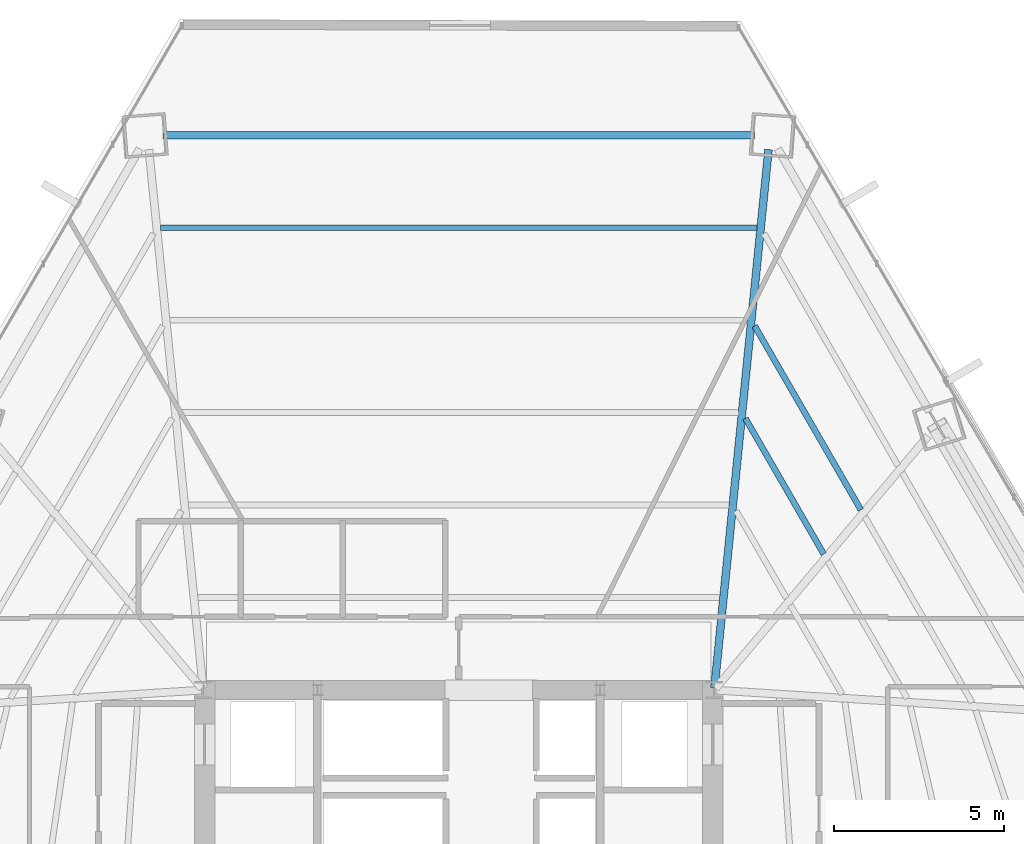
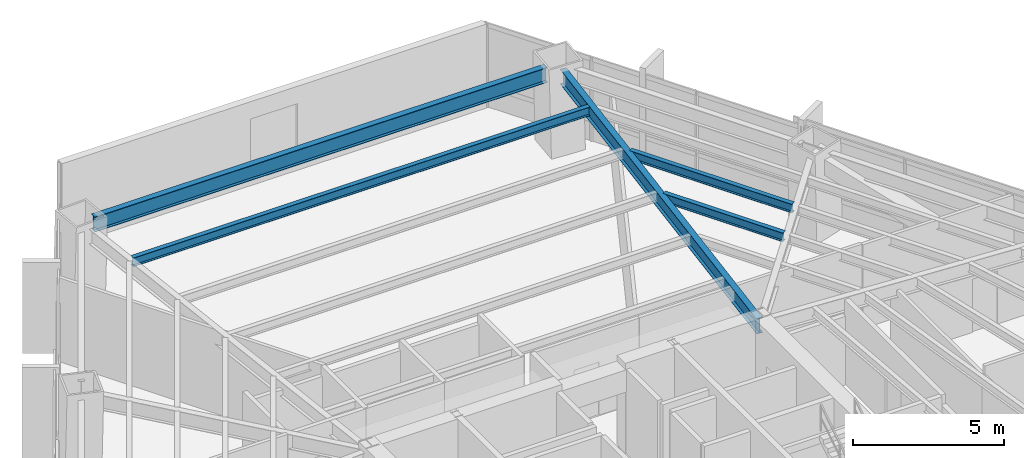
# One storey, part 21 of 29: 5 beams.
"""IFC4 building model written with IfcOpenShell, lengths in metres."""

from ifc_helpers import new_model, si_unit, direction, frame, origin, origin_2d, place, context, subcontext, project, spatial, i_section, extrude, source, transform, mapped, material, material_profile, profile_set, type_object, type_shapes, element, save


model = new_model("IFC4")

# Units and contexts
model_context = context("Model", 3, precision=1e-05, world=origin(), true_north=direction((0.0, 1.0)))
body_context = subcontext(model_context, "Body", "Model", "MODEL_VIEW")
ifc_project = project(units=[si_unit("LENGTHUNIT", "METRE"), si_unit("AREAUNIT", "SQUARE_METRE"), si_unit("VOLUMEUNIT", "CUBIC_METRE"), si_unit("PLANEANGLEUNIT", "RADIAN"), si_unit("MASSUNIT", "GRAM", prefix="KILO")], contexts=[model_context])

# Site, building, storey
site_placement = place(None, origin())
site = spatial("IfcSite", under=ifc_project, at=site_placement, CompositionType="ELEMENT")
building_placement = place(site_placement, origin())
building = spatial("IfcBuilding", under=site, at=building_placement, Name="Caelisora Broadcast Tower", CompositionType="ELEMENT")
storey_placement = place(building_placement, frame((0.0, 0.0, 31.25)))
storey = spatial("IfcBuildingStorey", under=building, at=storey_placement, Name="L07", CompositionType="ELEMENT", Elevation=31.25)

# Beams
ifc_material = material(Name="Steel Grade 350 (AS/NZS 3679.1)", Category="steel")
ifc_material_profile_1 = material_profile(ifc_material, i_section(OverallWidth=0.22900390625, OverallDepth=0.611572265625, WebThickness=0.011962890625, FlangeThickness=0.01953125, at=origin_2d()), Name="Steel Grade 350 (AS/NZS 3679.1)")
ifc_profile_set_1 = profile_set([ifc_material_profile_1], Name="Steel Grade 350 (AS/NZS 3679.1)")
beam_type_1 = type_object("IfcBeamType", Name="PG03", PredefinedType="BEAM", material=ifc_profile_set_1)
shared_shape_1 = source(origin(), body_context, "Body", "SweptSolid", [
    extrude(i_section(OverallWidth=0.22900390625, OverallDepth=0.611572265625, WebThickness=0.011962890625, FlangeThickness=0.01953125, at=origin_2d()), origin(), (0.0, 0.0, 1.0), 17.35400390625),
])
type_shapes(beam_type_1, [shared_shape_1])
beam_1_placement = place(storey_placement, frame((46.677001953125, 46.284912109375, 3.09423828125), z_axis=(-1.0, 0.0, 0.0), x_axis=(0.0, -1.0, 0.0)))
element("IfcBeam", 1, at=beam_1_placement, inside=storey, type_object=beam_type_1, Name="L07 beam PG03", PredefinedType="BEAM", context=body_context, shape_type="MappedRepresentation", body=[
    mapped(shared_shape_1, transform((0.0, 0.0, 0.0), scale=1.0)),
])
ifc_material_profile_2 = material_profile(ifc_material, i_section(OverallWidth=0.22802734375, OverallDepth=0.602294921875, WebThickness=0.010498046875, FlangeThickness=0.014892578125, at=origin_2d()), Name="Steel Grade 350 (AS/NZS 3679.1)")
ifc_profile_set_2 = profile_set([ifc_material_profile_2], Name="Steel Grade 350 (AS/NZS 3679.1)")
beam_type_2 = type_object("IfcBeamType", Name="PG04", PredefinedType="BEAM", material=ifc_profile_set_2)
shared_shape_2 = source(origin(), body_context, "Body", "SweptSolid", [
    extrude(i_section(OverallWidth=0.22802734375, OverallDepth=0.602294921875, WebThickness=0.010498046875, FlangeThickness=0.014892578125, at=origin_2d()), origin(), (0.0, 0.0, 1.0), 15.88671875),
])
type_shapes(beam_type_2, [shared_shape_2])
beam_2_placement = place(storey_placement, frame((45.506103515625, 30.059814453125, 3.098876953125), z_axis=(0.100027113469, 0.994984711727, 0.0), x_axis=(-0.994984711727, 0.100027113469, 0.0)))
element("IfcBeam", 2, at=beam_2_placement, inside=storey, type_object=beam_type_2, Name="L07 beam PG04", PredefinedType="BEAM", context=body_context, shape_type="MappedRepresentation", body=[
    mapped(shared_shape_2, transform((0.0, 0.0, 0.0), scale=1.0)),
])
ifc_material_profile_3 = material_profile(ifc_material, i_section(OverallWidth=0.172119140625, OverallDepth=0.358642578125, WebThickness=0.008056640625, FlangeThickness=0.012939453125, at=origin_2d()), Name="Steel Grade 350 (AS/NZS 3679.1)")
ifc_profile_set_3 = profile_set([ifc_material_profile_3], Name="Steel Grade 350 (AS/NZS 3679.1)")
beam_type_3 = type_object("IfcBeamType", Name="SB02", PredefinedType="JOIST", material=ifc_profile_set_3)
shared_shape_3 = source(origin(), body_context, "Body", "SweptSolid", [
    extrude(i_section(OverallWidth=0.172119140625, OverallDepth=0.358642578125, WebThickness=0.008056640625, FlangeThickness=0.012939453125, at=origin_2d()), origin(), (0.0, 0.0, 1.0), 17.50537109375),
])
beam_3_placement = place(storey_placement, frame((46.752685546875, 43.57080078125, 3.220703125), z_axis=(-1.0, 0.0, 0.0), x_axis=(0.0, -1.0, 0.0)))
element("IfcBeam", 3, at=beam_3_placement, inside=storey, type_object=beam_type_3, Name="L07 beam SB02", PredefinedType="JOIST", context=body_context, shape_type="MappedRepresentation", body=[
    mapped(shared_shape_3, transform((0.0, 0.0, 0.0), scale=1.0)),
])
shared_shape_4 = source(origin(), body_context, "Body", "SweptSolid", [
    extrude(i_section(OverallWidth=0.172119140625, OverallDepth=0.358642578125, WebThickness=0.008056640625, FlangeThickness=0.012939453125, at=origin_2d()), origin(), (0.0, 0.0, 1.0), 4.599853515625),
])
beam_4_placement = place(storey_placement, frame((48.714599609375, 33.992431640625, 3.220703125), z_axis=(-0.499975146636, 0.866039752405, 0.0), x_axis=(-0.866039752405, -0.499975146636, 0.0)))
element("IfcBeam", 4, at=beam_4_placement, inside=storey, type_object=beam_type_3, Name="L07 beam SB02", PredefinedType="JOIST", context=body_context, shape_type="MappedRepresentation", body=[
    mapped(shared_shape_4, transform((0.0, 0.0, 0.0), scale=1.0)),
])
shared_shape_5 = source(origin(), body_context, "Body", "SweptSolid", [
    extrude(i_section(OverallWidth=0.172119140625, OverallDepth=0.358642578125, WebThickness=0.008056640625, FlangeThickness=0.012939453125, at=origin_2d()), origin(), (0.0, 0.0, 1.0), 6.236572265625),
])
type_shapes(beam_type_3, [shared_shape_3, shared_shape_4, shared_shape_5])
beam_5_placement = place(storey_placement, frame((49.805908203125, 35.289306640625, 3.220703125), z_axis=(-0.500025171679, 0.866010870421, 0.0), x_axis=(-0.866010870421, -0.500025171679, 0.0)))
element("IfcBeam", 5, at=beam_5_placement, inside=storey, type_object=beam_type_3, Name="L07 beam SB02", PredefinedType="JOIST", context=body_context, shape_type="MappedRepresentation", body=[
    mapped(shared_shape_5, transform((0.0, 0.0, 0.0), scale=1.0)),
])

save(model, "model.ifc")
